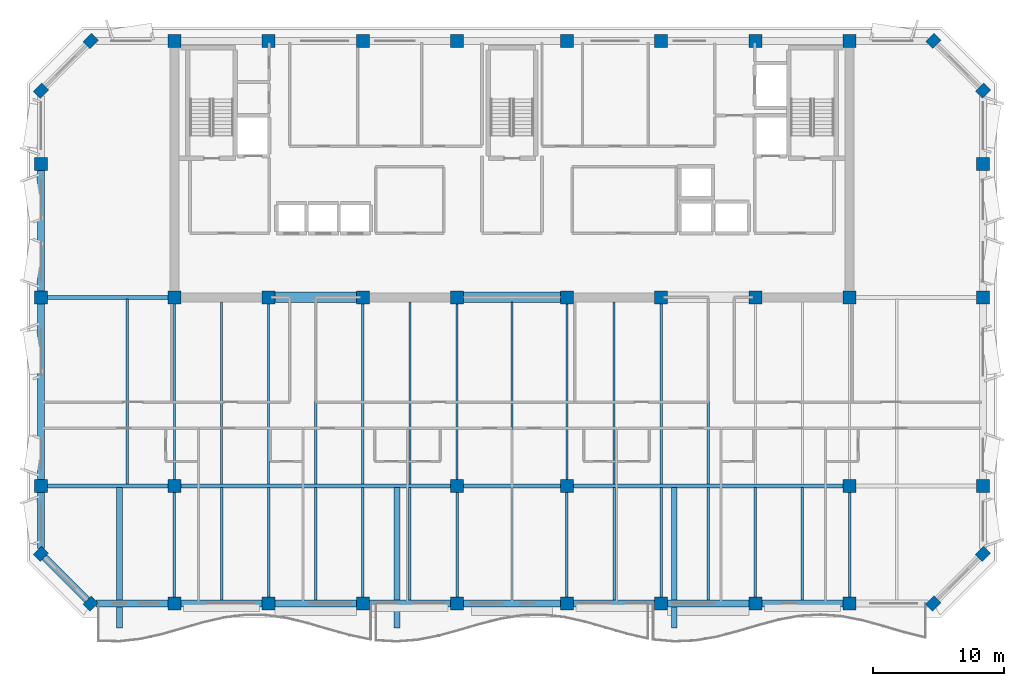
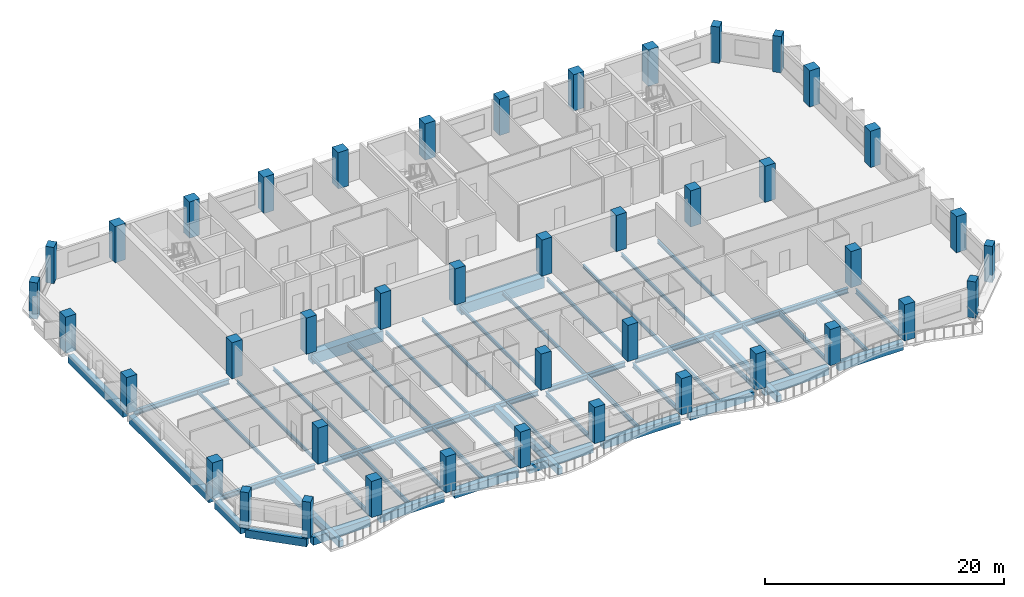
# One storey, part 1 of 11: 50 beams, 42 columns.
"""IFC4 building model written with IfcOpenShell, lengths in metres."""

from ifc_helpers import new_model, si_unit, direction, frame, origin, origin_2d, place, context, subcontext, project, spatial, rectangle, i_section, extrude, material, material_profile, profile_set, type_object, element, save


model = new_model("IFC4")

# Units and contexts
model_context = context("Model", 3, precision=1e-05, world=origin(), true_north=direction((0.0, 1.0)))
body_context = subcontext(model_context, "Body", "Model", "MODEL_VIEW")
ifc_project = project(units=[si_unit("LENGTHUNIT", "METRE"), si_unit("AREAUNIT", "SQUARE_METRE"), si_unit("VOLUMEUNIT", "CUBIC_METRE"), si_unit("PLANEANGLEUNIT", "RADIAN"), si_unit("MASSUNIT", "GRAM", prefix="KILO")], contexts=[model_context])

# Site, building, storey
site_placement = place(None, origin())
site = spatial("IfcSite", under=ifc_project, at=site_placement, CompositionType="ELEMENT")
building_placement = place(site_placement, origin())
building = spatial("IfcBuilding", under=site, at=building_placement, Name="Kaelvorn Grand Hotel", CompositionType="ELEMENT")
storey_placement = place(building_placement, frame((0.0, 0.0, 252.85009765625)))
storey = spatial("IfcBuildingStorey", under=building, at=storey_placement, Name="L62", CompositionType="ELEMENT", Elevation=252.85009765625)

# Columns
ifc_material_1 = material(Name="Concrete C60/75", Category="concrete")
ifc_material_profile_1 = material_profile(ifc_material_1, rectangle(XDim=0.89990234375, YDim=0.75, at=origin_2d()), Name="RC PILASTER 900x750")
ifc_profile_set_1 = profile_set([ifc_material_profile_1], Name="Concrete C60/75")
column_type_1 = type_object("IfcColumnType", Name="COL-PIL-900x750-C60", PredefinedType="PILASTER", material=ifc_profile_set_1)
for number, where, z_axis, x_axis, name in (
    (1, (9.800048828125, 6.0, 0.0), (0.0, 0.0, 1.0), (0.707106781187, 0.707106781187, 0.0), "L62 Structural Column CH-01"),
    (2, (74.199951171875, 6.0, 0.0), (0.0, 0.0, 1.0), (0.707106781187, 0.707106781187, 0.0), "L62 Structural Column CH-02"),
    (3, (78.0, 9.800048828125, 0.0), (0.0, 0.0, 1.0), (0.707106781187, 0.707106781187, 0.0), "L62 Structural Column CH-03"),
    (4, (78.0, 45.199951171875, 0.0), (0.0, 0.0, 1.0), (0.707106781187, 0.707106781187, 0.0), "L62 Structural Column CH-04"),
    (5, (74.199951171875, 49.0, 0.0), (0.0, 0.0, 1.0), (0.707106781187, 0.707106781187, 0.0), "L62 Structural Column CH-05"),
    (6, (9.800048828125, 49.0, 0.0), (0.0, 0.0, 1.0), (0.707106781187, 0.707106781187, 0.0), "L62 Structural Column CH-06"),
    (7, (6.0, 45.199951171875, 0.0), (0.0, 0.0, 1.0), (0.707106781187, 0.707106781187, 0.0), "L62 Structural Column CH-07"),
    (8, (6.0, 9.800048828125, 0.0), (0.0, 0.0, 1.0), (0.707106781187, 0.707106781187, 0.0), "L62 Structural Column CH-08"),
):
    element("IfcColumn", number, at=place(storey_placement, frame(where, z_axis=z_axis, x_axis=x_axis)), inside=storey, type_object=column_type_1, Name=name, PredefinedType="PILASTER", context=body_context, shape_type="SweptSolid", body=[
        extrude(rectangle(XDim=0.89990234375, YDim=0.75, at=origin_2d()), origin(), (0.0, 0.0, 1.0), 3.7099609375),
    ])
ifc_material_2 = material(Name="Concrete C50/60", Category="concrete")
ifc_material_profile_2 = material_profile(ifc_material_2, rectangle(XDim=1.0, YDim=1.0, at=origin_2d()), Name="RC COL 1000x1000")
ifc_profile_set_2 = profile_set([ifc_material_profile_2], Name="Concrete C50/60")
column_type_2 = type_object("IfcColumnType", Name="COL-RC-1000-C50", PredefinedType="COLUMN", material=ifc_profile_set_2)
for number, where, z_axis, x_axis, name in (
    (9, (16.199951171875, 6.0, 0.0), (0.0, 0.0, 1.0), (1.0, 0.0, 0.0), "L62 Structural Column S-01"),
    (10, (23.39990234375, 6.0, 0.0), (0.0, 0.0, 1.0), (1.0, 0.0, 0.0), "L62 Structural Column S-02"),
    (11, (30.60009765625, 6.0, 0.0), (0.0, 0.0, 1.0), (1.0, 0.0, 0.0), "L62 Structural Column S-03"),
    (12, (37.800048828125, 6.0, 0.0), (0.0, 0.0, 1.0), (1.0, 0.0, 0.0), "L62 Structural Column S-04"),
    (13, (46.199951171875, 6.0, 0.0), (0.0, 0.0, 1.0), (1.0, 0.0, 0.0), "L62 Structural Column S-05"),
    (14, (53.39990234375, 6.0, 0.0), (0.0, 0.0, 1.0), (1.0, 0.0, 0.0), "L62 Structural Column S-06"),
    (15, (60.60009765625, 6.0, 0.0), (0.0, 0.0, 1.0), (1.0, 0.0, 0.0), "L62 Structural Column S-07"),
    (16, (67.800048828125, 6.0, 0.0), (0.0, 0.0, 1.0), (1.0, 0.0, 0.0), "L62 Structural Column S-08"),
    (17, (6.0, 15.0, 0.0), (0.0, 0.0, 1.0), (1.0, 0.0, 0.0), "L62 Structural Column W-01"),
    (18, (78.0, 15.0, 0.0), (0.0, 0.0, 1.0), (1.0, 0.0, 0.0), "L62 Structural Column E-01"),
    (19, (6.0, 29.39990234375, 0.0), (0.0, 0.0, 1.0), (1.0, 0.0, 0.0), "L62 Structural Column W-02"),
    (20, (78.0, 29.39990234375, 0.0), (0.0, 0.0, 1.0), (1.0, 0.0, 0.0), "L62 Structural Column E-02"),
    (21, (6.0, 39.60009765625, 0.0), (0.0, 0.0, 1.0), (1.0, 0.0, 0.0), "L62 Structural Column W-03"),
    (22, (78.0, 39.60009765625, 0.0), (0.0, 0.0, 1.0), (1.0, 0.0, 0.0), "L62 Structural Column E-03"),
    (23, (16.199951171875, 15.0, 0.0), (0.0, 0.0, 1.0), (1.0, 0.0, 0.0), "L62 Structural Column M-01"),
    (24, (37.800048828125, 15.0, 0.0), (0.0, 0.0, 1.0), (1.0, 0.0, 0.0), "L62 Structural Column M-02"),
    (25, (46.199951171875, 15.0, 0.0), (0.0, 0.0, 1.0), (1.0, 0.0, 0.0), "L62 Structural Column M-03"),
    (26, (67.800048828125, 15.0, 0.0), (0.0, 0.0, 1.0), (1.0, 0.0, 0.0), "L62 Structural Column M-04"),
    (27, (16.199951171875, 29.39990234375, 0.0), (0.0, 0.0, 1.0), (1.0, 0.0, 0.0), "L62 Structural Column CR1-01"),
    (28, (16.199951171875, 49.0, 0.0), (0.0, 0.0, 1.0), (1.0, 0.0, 0.0), "L62 Structural Column CR2-01"),
    (29, (23.39990234375, 29.39990234375, 0.0), (0.0, 0.0, 1.0), (1.0, 0.0, 0.0), "L62 Structural Column CR1-02"),
    (30, (23.39990234375, 49.0, 0.0), (0.0, 0.0, 1.0), (1.0, 0.0, 0.0), "L62 Structural Column CR2-02"),
    (31, (30.60009765625, 29.39990234375, 0.0), (0.0, 0.0, 1.0), (1.0, 0.0, 0.0), "L62 Structural Column CR1-03"),
    (32, (30.60009765625, 49.0, 0.0), (0.0, 0.0, 1.0), (1.0, 0.0, 0.0), "L62 Structural Column CR2-03"),
    (33, (37.800048828125, 29.39990234375, 0.0), (0.0, 0.0, 1.0), (1.0, 0.0, 0.0), "L62 Structural Column CR1-04"),
    (34, (37.800048828125, 49.0, 0.0), (0.0, 0.0, 1.0), (1.0, 0.0, 0.0), "L62 Structural Column CR2-04"),
    (35, (46.199951171875, 29.39990234375, 0.0), (0.0, 0.0, 1.0), (1.0, 0.0, 0.0), "L62 Structural Column CR1-05"),
    (36, (46.199951171875, 49.0, 0.0), (0.0, 0.0, 1.0), (1.0, 0.0, 0.0), "L62 Structural Column CR2-05"),
    (37, (53.39990234375, 29.39990234375, 0.0), (0.0, 0.0, 1.0), (1.0, 0.0, 0.0), "L62 Structural Column CR1-06"),
    (38, (53.39990234375, 49.0, 0.0), (0.0, 0.0, 1.0), (1.0, 0.0, 0.0), "L62 Structural Column CR2-06"),
    (39, (60.60009765625, 29.39990234375, 0.0), (0.0, 0.0, 1.0), (1.0, 0.0, 0.0), "L62 Structural Column CR1-07"),
    (40, (60.60009765625, 49.0, 0.0), (0.0, 0.0, 1.0), (1.0, 0.0, 0.0), "L62 Structural Column CR2-07"),
    (41, (67.800048828125, 29.39990234375, 0.0), (0.0, 0.0, 1.0), (1.0, 0.0, 0.0), "L62 Structural Column CR1-08"),
    (42, (67.800048828125, 49.0, 0.0), (0.0, 0.0, 1.0), (1.0, 0.0, 0.0), "L62 Structural Column CR2-08"),
):
    element("IfcColumn", number, at=place(storey_placement, frame(where, z_axis=z_axis, x_axis=x_axis)), inside=storey, type_object=column_type_2, Name=name, PredefinedType="COLUMN", context=body_context, shape_type="SweptSolid", body=[
        extrude(rectangle(XDim=1.0, YDim=1.0, at=origin_2d()), origin(), (0.0, 0.0, 1.0), 3.7099609375),
    ])

# Beams
ifc_material_3 = material(Name="Steel S355", Category="steel")
ifc_material_profile_3 = material_profile(ifc_material_3, i_section(OverallWidth=0.300048828125, OverallDepth=0.5, WebThickness=0.014404296875, FlangeThickness=0.028076171875, FilletRadius=0.027099609375, at=origin_2d()), Name="HEB 500")
ifc_profile_set_3 = profile_set([ifc_material_profile_3], Name="Steel S355")
beam_type_1 = type_object("IfcBeamType", Name="BM-G-HEB500-S355", PredefinedType="BEAM", material=ifc_profile_set_3)
beam_1_placement = place(storey_placement, frame((6.485107421875, 15.0, -0.489990234375), z_axis=(1.0, 0.0, 0.0), x_axis=(0.0, 1.0, 0.0)))
element("IfcBeam", 43, at=beam_1_placement, inside=storey, type_object=beam_type_1, Name="L62 Primary Spine Steel Girder G-15 01", PredefinedType="BEAM", context=body_context, shape_type="SweptSolid", body=[
    extrude(i_section(OverallWidth=0.300048828125, OverallDepth=0.5, WebThickness=0.014404296875, FlangeThickness=0.028076171875, FilletRadius=0.027099609375, at=origin_2d()), origin(), (0.0, 0.0, 1.0), 9.22998046875),
])
beam_2_placement = place(storey_placement, frame((16.68505859375, 15.0, -0.489990234375), z_axis=(1.0, 0.0, 0.0), x_axis=(0.0, 1.0, 0.0)))
element("IfcBeam", 44, at=beam_2_placement, inside=storey, type_object=beam_type_1, Name="L62 Primary Spine Steel Girder G-15 02", PredefinedType="BEAM", context=body_context, shape_type="SweptSolid", body=[
    extrude(i_section(OverallWidth=0.300048828125, OverallDepth=0.5, WebThickness=0.014404296875, FlangeThickness=0.028076171875, FilletRadius=0.027099609375, at=origin_2d()), origin(), (0.0, 0.0, 1.0), 20.6298828125),
])
beam_3_placement = place(storey_placement, frame((38.284912109375, 15.0, -0.489990234375), z_axis=(1.0, 0.0, 0.0), x_axis=(0.0, 1.0, 0.0)))
element("IfcBeam", 45, at=beam_3_placement, inside=storey, type_object=beam_type_1, Name="L62 Primary Spine Steel Girder G-15 03", PredefinedType="BEAM", context=body_context, shape_type="SweptSolid", body=[
    extrude(i_section(OverallWidth=0.300048828125, OverallDepth=0.5, WebThickness=0.014404296875, FlangeThickness=0.028076171875, FilletRadius=0.027099609375, at=origin_2d()), origin(), (0.0, 0.0, 1.0), 7.43017578125),
])
beam_4_placement = place(storey_placement, frame((46.68505859375, 15.0, -0.489990234375), z_axis=(1.0, 0.0, 0.0), x_axis=(0.0, 1.0, 0.0)))
element("IfcBeam", 46, at=beam_4_placement, inside=storey, type_object=beam_type_1, Name="L62 Primary Spine Steel Girder G-15 04", PredefinedType="BEAM", context=body_context, shape_type="SweptSolid", body=[
    extrude(i_section(OverallWidth=0.300048828125, OverallDepth=0.5, WebThickness=0.014404296875, FlangeThickness=0.028076171875, FilletRadius=0.027099609375, at=origin_2d()), origin(), (0.0, 0.0, 1.0), 20.6298828125),
])
beam_5_placement = place(storey_placement, frame((6.485107421875, 29.39990234375, -0.489990234375), z_axis=(1.0, 0.0, 0.0), x_axis=(0.0, 1.0, 0.0)))
element("IfcBeam", 47, at=beam_5_placement, inside=storey, type_object=beam_type_1, Name="L62 West Core Wing Steel Girder G-29W 01", PredefinedType="BEAM", context=body_context, shape_type="SweptSolid", body=[
    extrude(i_section(OverallWidth=0.300048828125, OverallDepth=0.5, WebThickness=0.014404296875, FlangeThickness=0.028076171875, FilletRadius=0.027099609375, at=origin_2d()), origin(), (0.0, 0.0, 1.0), 9.22998046875),
])
ifc_material_profile_4 = material_profile(ifc_material_3, i_section(OverallWidth=0.169921875, OverallDepth=0.360107421875, WebThickness=0.008056640625, FlangeThickness=0.0126953125, FilletRadius=0.01806640625, at=origin_2d()), Name="IPE 360")
ifc_profile_set_4 = profile_set([ifc_material_profile_4], Name="Steel S355")
beam_type_2 = type_object("IfcBeamType", Name="BM-J-IPE360-S355", PredefinedType="JOIST", material=ifc_profile_set_4)
beam_6_placement = place(storey_placement, frame((12.60009765625, 15.135009765625, -0.420166015625), z_axis=(0.0, 1.0, 0.0), x_axis=(-1.0, 0.0, 0.0)))
element("IfcBeam", 48, at=beam_6_placement, inside=storey, type_object=beam_type_2, Name="L62 Composite Floor Joist JM-04", PredefinedType="JOIST", context=body_context, shape_type="SweptSolid", body=[
    extrude(i_section(OverallWidth=0.169921875, OverallDepth=0.360107421875, WebThickness=0.008056640625, FlangeThickness=0.0126953125, FilletRadius=0.01806640625, at=origin_2d()), origin(), (0.0, 0.0, 1.0), 14.1298828125),
])
beam_7_placement = place(storey_placement, frame((16.199951171875, 15.485107421875, -0.420166015625), z_axis=(0.0, 1.0, 0.0), x_axis=(-1.0, 0.0, 0.0)))
element("IfcBeam", 49, at=beam_7_placement, inside=storey, type_object=beam_type_2, Name="L62 Composite Floor Joist JM-05", PredefinedType="JOIST", context=body_context, shape_type="SweptSolid", body=[
    extrude(i_section(OverallWidth=0.169921875, OverallDepth=0.360107421875, WebThickness=0.008056640625, FlangeThickness=0.0126953125, FilletRadius=0.01806640625, at=origin_2d()), origin(), (0.0, 0.0, 1.0), 13.429931640625),
])
beam_8_placement = place(storey_placement, frame((19.800048828125, 15.135009765625, -0.420166015625), z_axis=(0.0, 1.0, 0.0), x_axis=(-1.0, 0.0, 0.0)))
element("IfcBeam", 50, at=beam_8_placement, inside=storey, type_object=beam_type_2, Name="L62 Composite Floor Joist JM-06", PredefinedType="JOIST", context=body_context, shape_type="SweptSolid", body=[
    extrude(i_section(OverallWidth=0.169921875, OverallDepth=0.360107421875, WebThickness=0.008056640625, FlangeThickness=0.0126953125, FilletRadius=0.01806640625, at=origin_2d()), origin(), (0.0, 0.0, 1.0), 13.925048828125),
])
beam_9_placement = place(storey_placement, frame((23.39990234375, 15.135009765625, -0.420166015625), z_axis=(0.0, 1.0, 0.0), x_axis=(-1.0, 0.0, 0.0)))
element("IfcBeam", 51, at=beam_9_placement, inside=storey, type_object=beam_type_2, Name="L62 Composite Floor Joist JM-07", PredefinedType="JOIST", context=body_context, shape_type="SweptSolid", body=[
    extrude(i_section(OverallWidth=0.169921875, OverallDepth=0.360107421875, WebThickness=0.008056640625, FlangeThickness=0.0126953125, FilletRadius=0.01806640625, at=origin_2d()), origin(), (0.0, 0.0, 1.0), 13.780029296875),
])
beam_10_placement = place(storey_placement, frame((27.0, 15.135009765625, -0.420166015625), z_axis=(0.0, 1.0, 0.0), x_axis=(-1.0, 0.0, 0.0)))
element("IfcBeam", 52, at=beam_10_placement, inside=storey, type_object=beam_type_2, Name="L62 Composite Floor Joist JM-08", PredefinedType="JOIST", context=body_context, shape_type="SweptSolid", body=[
    extrude(i_section(OverallWidth=0.169921875, OverallDepth=0.360107421875, WebThickness=0.008056640625, FlangeThickness=0.0126953125, FilletRadius=0.01806640625, at=origin_2d()), origin(), (0.0, 0.0, 1.0), 13.925048828125),
])
beam_11_placement = place(storey_placement, frame((30.60009765625, 15.135009765625, -0.420166015625), z_axis=(0.0, 1.0, 0.0), x_axis=(-1.0, 0.0, 0.0)))
element("IfcBeam", 53, at=beam_11_placement, inside=storey, type_object=beam_type_2, Name="L62 Composite Floor Joist JM-09", PredefinedType="JOIST", context=body_context, shape_type="SweptSolid", body=[
    extrude(i_section(OverallWidth=0.169921875, OverallDepth=0.360107421875, WebThickness=0.008056640625, FlangeThickness=0.0126953125, FilletRadius=0.01806640625, at=origin_2d()), origin(), (0.0, 0.0, 1.0), 13.780029296875),
])
beam_12_placement = place(storey_placement, frame((34.199951171875, 15.135009765625, -0.420166015625), z_axis=(0.0, 1.0, 0.0), x_axis=(-1.0, 0.0, 0.0)))
element("IfcBeam", 54, at=beam_12_placement, inside=storey, type_object=beam_type_2, Name="L62 Composite Floor Joist JM-10", PredefinedType="JOIST", context=body_context, shape_type="SweptSolid", body=[
    extrude(i_section(OverallWidth=0.169921875, OverallDepth=0.360107421875, WebThickness=0.008056640625, FlangeThickness=0.0126953125, FilletRadius=0.01806640625, at=origin_2d()), origin(), (0.0, 0.0, 1.0), 13.925048828125),
])
beam_13_placement = place(storey_placement, frame((37.800048828125, 15.485107421875, -0.420166015625), z_axis=(0.0, 1.0, 0.0), x_axis=(-1.0, 0.0, 0.0)))
element("IfcBeam", 55, at=beam_13_placement, inside=storey, type_object=beam_type_2, Name="L62 Composite Floor Joist JM-11", PredefinedType="JOIST", context=body_context, shape_type="SweptSolid", body=[
    extrude(i_section(OverallWidth=0.169921875, OverallDepth=0.360107421875, WebThickness=0.008056640625, FlangeThickness=0.0126953125, FilletRadius=0.01806640625, at=origin_2d()), origin(), (0.0, 0.0, 1.0), 13.429931640625),
])
beam_14_placement = place(storey_placement, frame((42.0, 15.135009765625, -0.420166015625), z_axis=(0.0, 1.0, 0.0), x_axis=(-1.0, 0.0, 0.0)))
element("IfcBeam", 56, at=beam_14_placement, inside=storey, type_object=beam_type_2, Name="L62 Composite Floor Joist JM-12", PredefinedType="JOIST", context=body_context, shape_type="SweptSolid", body=[
    extrude(i_section(OverallWidth=0.169921875, OverallDepth=0.360107421875, WebThickness=0.008056640625, FlangeThickness=0.0126953125, FilletRadius=0.01806640625, at=origin_2d()), origin(), (0.0, 0.0, 1.0), 13.925048828125),
])
beam_15_placement = place(storey_placement, frame((46.199951171875, 15.485107421875, -0.420166015625), z_axis=(0.0, 1.0, 0.0), x_axis=(-1.0, 0.0, 0.0)))
element("IfcBeam", 57, at=beam_15_placement, inside=storey, type_object=beam_type_2, Name="L62 Composite Floor Joist JM-13", PredefinedType="JOIST", context=body_context, shape_type="SweptSolid", body=[
    extrude(i_section(OverallWidth=0.169921875, OverallDepth=0.360107421875, WebThickness=0.008056640625, FlangeThickness=0.0126953125, FilletRadius=0.01806640625, at=origin_2d()), origin(), (0.0, 0.0, 1.0), 13.429931640625),
])
beam_16_placement = place(storey_placement, frame((49.800048828125, 15.135009765625, -0.420166015625), z_axis=(0.0, 1.0, 0.0), x_axis=(-1.0, 0.0, 0.0)))
element("IfcBeam", 58, at=beam_16_placement, inside=storey, type_object=beam_type_2, Name="L62 Composite Floor Joist JM-14", PredefinedType="JOIST", context=body_context, shape_type="SweptSolid", body=[
    extrude(i_section(OverallWidth=0.169921875, OverallDepth=0.360107421875, WebThickness=0.008056640625, FlangeThickness=0.0126953125, FilletRadius=0.01806640625, at=origin_2d()), origin(), (0.0, 0.0, 1.0), 13.925048828125),
])
beam_17_placement = place(storey_placement, frame((53.39990234375, 15.135009765625, -0.420166015625), z_axis=(0.0, 1.0, 0.0), x_axis=(-1.0, 0.0, 0.0)))
element("IfcBeam", 59, at=beam_17_placement, inside=storey, type_object=beam_type_2, Name="L62 Composite Floor Joist JM-15", PredefinedType="JOIST", context=body_context, shape_type="SweptSolid", body=[
    extrude(i_section(OverallWidth=0.169921875, OverallDepth=0.360107421875, WebThickness=0.008056640625, FlangeThickness=0.0126953125, FilletRadius=0.01806640625, at=origin_2d()), origin(), (0.0, 0.0, 1.0), 13.780029296875),
])
beam_18_placement = place(storey_placement, frame((57.0, 15.135009765625, -0.420166015625), z_axis=(0.0, 1.0, 0.0), x_axis=(-1.0, 0.0, 0.0)))
element("IfcBeam", 60, at=beam_18_placement, inside=storey, type_object=beam_type_2, Name="L62 Composite Floor Joist JM-16", PredefinedType="JOIST", context=body_context, shape_type="SweptSolid", body=[
    extrude(i_section(OverallWidth=0.169921875, OverallDepth=0.360107421875, WebThickness=0.008056640625, FlangeThickness=0.0126953125, FilletRadius=0.01806640625, at=origin_2d()), origin(), (0.0, 0.0, 1.0), 13.925048828125),
])
ifc_material_profile_5 = material_profile(ifc_material_3, i_section(OverallWidth=0.18994140625, OverallDepth=0.449951171875, WebThickness=0.009521484375, FlangeThickness=0.0146484375, FilletRadius=0.02099609375, at=origin_2d()), Name="IPE 450")
ifc_profile_set_5 = profile_set([ifc_material_profile_5], Name="Steel S355")
beam_type_3 = type_object("IfcBeamType", Name="BM-J-IPE450-S355", PredefinedType="JOIST", material=ifc_profile_set_5)
beam_19_placement = place(storey_placement, frame((16.199951171875, 6.485107421875, -0.465087890625), z_axis=(0.0, 1.0, 0.0), x_axis=(-1.0, 0.0, 0.0)))
element("IfcBeam", 61, at=beam_19_placement, inside=storey, type_object=beam_type_3, Name="L62 Composite Floor Joist JS-05", PredefinedType="JOIST", context=body_context, shape_type="SweptSolid", body=[
    extrude(i_section(OverallWidth=0.18994140625, OverallDepth=0.449951171875, WebThickness=0.009521484375, FlangeThickness=0.0146484375, FilletRadius=0.02099609375, at=origin_2d()), origin(), (0.0, 0.0, 1.0), 8.02978515625),
])
beam_20_placement = place(storey_placement, frame((19.800048828125, 6.260009765625, -0.465087890625), z_axis=(0.0, 1.0, 0.0), x_axis=(-1.0, 0.0, 0.0)))
element("IfcBeam", 62, at=beam_20_placement, inside=storey, type_object=beam_type_3, Name="L62 Composite Floor Joist JS-06", PredefinedType="JOIST", context=body_context, shape_type="SweptSolid", body=[
    extrude(i_section(OverallWidth=0.18994140625, OverallDepth=0.449951171875, WebThickness=0.009521484375, FlangeThickness=0.0146484375, FilletRadius=0.02099609375, at=origin_2d()), origin(), (0.0, 0.0, 1.0), 8.60498046875),
])
beam_21_placement = place(storey_placement, frame((23.39990234375, 6.485107421875, -0.465087890625), z_axis=(0.0, 1.0, 0.0), x_axis=(-1.0, 0.0, 0.0)))
element("IfcBeam", 63, at=beam_21_placement, inside=storey, type_object=beam_type_3, Name="L62 Composite Floor Joist JS-07", PredefinedType="JOIST", context=body_context, shape_type="SweptSolid", body=[
    extrude(i_section(OverallWidth=0.18994140625, OverallDepth=0.449951171875, WebThickness=0.009521484375, FlangeThickness=0.0146484375, FilletRadius=0.02099609375, at=origin_2d()), origin(), (0.0, 0.0, 1.0), 8.3798828125),
])
beam_22_placement = place(storey_placement, frame((27.0, 6.260009765625, -0.465087890625), z_axis=(0.0, 1.0, 0.0), x_axis=(-1.0, 0.0, 0.0)))
element("IfcBeam", 64, at=beam_22_placement, inside=storey, type_object=beam_type_3, Name="L62 Composite Floor Joist JS-08", PredefinedType="JOIST", context=body_context, shape_type="SweptSolid", body=[
    extrude(i_section(OverallWidth=0.18994140625, OverallDepth=0.449951171875, WebThickness=0.009521484375, FlangeThickness=0.0146484375, FilletRadius=0.02099609375, at=origin_2d()), origin(), (0.0, 0.0, 1.0), 8.60498046875),
])
beam_23_placement = place(storey_placement, frame((30.60009765625, 6.485107421875, -0.465087890625), z_axis=(0.0, 1.0, 0.0), x_axis=(-1.0, 0.0, 0.0)))
element("IfcBeam", 65, at=beam_23_placement, inside=storey, type_object=beam_type_3, Name="L62 Composite Floor Joist JS-09", PredefinedType="JOIST", context=body_context, shape_type="SweptSolid", body=[
    extrude(i_section(OverallWidth=0.18994140625, OverallDepth=0.449951171875, WebThickness=0.009521484375, FlangeThickness=0.0146484375, FilletRadius=0.02099609375, at=origin_2d()), origin(), (0.0, 0.0, 1.0), 8.3798828125),
])
beam_24_placement = place(storey_placement, frame((34.199951171875, 6.260009765625, -0.465087890625), z_axis=(0.0, 1.0, 0.0), x_axis=(-1.0, 0.0, 0.0)))
element("IfcBeam", 66, at=beam_24_placement, inside=storey, type_object=beam_type_3, Name="L62 Composite Floor Joist JS-10", PredefinedType="JOIST", context=body_context, shape_type="SweptSolid", body=[
    extrude(i_section(OverallWidth=0.18994140625, OverallDepth=0.449951171875, WebThickness=0.009521484375, FlangeThickness=0.0146484375, FilletRadius=0.02099609375, at=origin_2d()), origin(), (0.0, 0.0, 1.0), 8.60498046875),
])
beam_25_placement = place(storey_placement, frame((37.800048828125, 6.485107421875, -0.465087890625), z_axis=(0.0, 1.0, 0.0), x_axis=(-1.0, 0.0, 0.0)))
element("IfcBeam", 67, at=beam_25_placement, inside=storey, type_object=beam_type_3, Name="L62 Composite Floor Joist JS-11", PredefinedType="JOIST", context=body_context, shape_type="SweptSolid", body=[
    extrude(i_section(OverallWidth=0.18994140625, OverallDepth=0.449951171875, WebThickness=0.009521484375, FlangeThickness=0.0146484375, FilletRadius=0.02099609375, at=origin_2d()), origin(), (0.0, 0.0, 1.0), 8.02978515625),
])
beam_26_placement = place(storey_placement, frame((42.0, 6.260009765625, -0.465087890625), z_axis=(0.0, 1.0, 0.0), x_axis=(-1.0, 0.0, 0.0)))
element("IfcBeam", 68, at=beam_26_placement, inside=storey, type_object=beam_type_3, Name="L62 Composite Floor Joist JS-12", PredefinedType="JOIST", context=body_context, shape_type="SweptSolid", body=[
    extrude(i_section(OverallWidth=0.18994140625, OverallDepth=0.449951171875, WebThickness=0.009521484375, FlangeThickness=0.0146484375, FilletRadius=0.02099609375, at=origin_2d()), origin(), (0.0, 0.0, 1.0), 8.60498046875),
])
beam_27_placement = place(storey_placement, frame((46.199951171875, 6.485107421875, -0.465087890625), z_axis=(0.0, 1.0, 0.0), x_axis=(-1.0, 0.0, 0.0)))
element("IfcBeam", 69, at=beam_27_placement, inside=storey, type_object=beam_type_3, Name="L62 Composite Floor Joist JS-13", PredefinedType="JOIST", context=body_context, shape_type="SweptSolid", body=[
    extrude(i_section(OverallWidth=0.18994140625, OverallDepth=0.449951171875, WebThickness=0.009521484375, FlangeThickness=0.0146484375, FilletRadius=0.02099609375, at=origin_2d()), origin(), (0.0, 0.0, 1.0), 8.02978515625),
])
beam_28_placement = place(storey_placement, frame((49.800048828125, 6.260009765625, -0.465087890625), z_axis=(0.0, 1.0, 0.0), x_axis=(-1.0, 0.0, 0.0)))
element("IfcBeam", 70, at=beam_28_placement, inside=storey, type_object=beam_type_3, Name="L62 Composite Floor Joist JS-14", PredefinedType="JOIST", context=body_context, shape_type="SweptSolid", body=[
    extrude(i_section(OverallWidth=0.18994140625, OverallDepth=0.449951171875, WebThickness=0.009521484375, FlangeThickness=0.0146484375, FilletRadius=0.02099609375, at=origin_2d()), origin(), (0.0, 0.0, 1.0), 8.60498046875),
])
beam_29_placement = place(storey_placement, frame((53.39990234375, 6.485107421875, -0.465087890625), z_axis=(0.0, 1.0, 0.0), x_axis=(-1.0, 0.0, 0.0)))
element("IfcBeam", 71, at=beam_29_placement, inside=storey, type_object=beam_type_3, Name="L62 Composite Floor Joist JS-15", PredefinedType="JOIST", context=body_context, shape_type="SweptSolid", body=[
    extrude(i_section(OverallWidth=0.18994140625, OverallDepth=0.449951171875, WebThickness=0.009521484375, FlangeThickness=0.0146484375, FilletRadius=0.02099609375, at=origin_2d()), origin(), (0.0, 0.0, 1.0), 8.3798828125),
])
beam_30_placement = place(storey_placement, frame((57.0, 6.260009765625, -0.465087890625), z_axis=(0.0, 1.0, 0.0), x_axis=(-1.0, 0.0, 0.0)))
element("IfcBeam", 72, at=beam_30_placement, inside=storey, type_object=beam_type_3, Name="L62 Composite Floor Joist JS-16", PredefinedType="JOIST", context=body_context, shape_type="SweptSolid", body=[
    extrude(i_section(OverallWidth=0.18994140625, OverallDepth=0.449951171875, WebThickness=0.009521484375, FlangeThickness=0.0146484375, FilletRadius=0.02099609375, at=origin_2d()), origin(), (0.0, 0.0, 1.0), 8.60498046875),
])
beam_31_placement = place(storey_placement, frame((60.60009765625, 6.485107421875, -0.465087890625), z_axis=(0.0, 1.0, 0.0), x_axis=(-1.0, 0.0, 0.0)))
element("IfcBeam", 73, at=beam_31_placement, inside=storey, type_object=beam_type_3, Name="L62 Composite Floor Joist JS-17", PredefinedType="JOIST", context=body_context, shape_type="SweptSolid", body=[
    extrude(i_section(OverallWidth=0.18994140625, OverallDepth=0.449951171875, WebThickness=0.009521484375, FlangeThickness=0.0146484375, FilletRadius=0.02099609375, at=origin_2d()), origin(), (0.0, 0.0, 1.0), 8.3798828125),
])
beam_32_placement = place(storey_placement, frame((64.199951171875, 6.260009765625, -0.465087890625), z_axis=(0.0, 1.0, 0.0), x_axis=(-1.0, 0.0, 0.0)))
element("IfcBeam", 74, at=beam_32_placement, inside=storey, type_object=beam_type_3, Name="L62 Composite Floor Joist JS-18", PredefinedType="JOIST", context=body_context, shape_type="SweptSolid", body=[
    extrude(i_section(OverallWidth=0.18994140625, OverallDepth=0.449951171875, WebThickness=0.009521484375, FlangeThickness=0.0146484375, FilletRadius=0.02099609375, at=origin_2d()), origin(), (0.0, 0.0, 1.0), 8.60498046875),
])
beam_33_placement = place(storey_placement, frame((67.800048828125, 6.485107421875, -0.465087890625), z_axis=(0.0, 1.0, 0.0), x_axis=(-1.0, 0.0, 0.0)))
element("IfcBeam", 75, at=beam_33_placement, inside=storey, type_object=beam_type_3, Name="L62 Composite Floor Joist JS-19", PredefinedType="JOIST", context=body_context, shape_type="SweptSolid", body=[
    extrude(i_section(OverallWidth=0.18994140625, OverallDepth=0.449951171875, WebThickness=0.009521484375, FlangeThickness=0.0146484375, FilletRadius=0.02099609375, at=origin_2d()), origin(), (0.0, 0.0, 1.0), 8.02978515625),
])
ifc_material_profile_6 = material_profile(ifc_material_1, rectangle(XDim=0.800048828125, YDim=1.10009765625, at=origin_2d()), Name="RC LINTEL 800x1100")
ifc_profile_set_6 = profile_set([ifc_material_profile_6], Name="Concrete C60/75")
beam_type_4 = type_object("IfcBeamType", Name="BM-LIN-800x1100-C60", PredefinedType="LINTEL", material=ifc_profile_set_6)
beam_34_placement = place(storey_placement, frame((23.580078125, 29.39990234375, -0.7900390625), z_axis=(1.0, 0.0, 0.0), x_axis=(0.0, 1.0, 0.0)))
element("IfcBeam", 76, at=beam_34_placement, inside=storey, type_object=beam_type_4, Name="L62 Rear-Core Coupling Lintel Beam CB1-01", PredefinedType="LINTEL", context=body_context, shape_type="SweptSolid", body=[
    extrude(rectangle(XDim=0.800048828125, YDim=1.10009765625, at=origin_2d()), origin(), (0.0, 0.0, 1.0), 6.83984375),
])
beam_35_placement = place(storey_placement, frame((37.97998046875, 29.39990234375, -0.7900390625), z_axis=(1.0, 0.0, 0.0), x_axis=(0.0, 1.0, 0.0)))
element("IfcBeam", 77, at=beam_35_placement, inside=storey, type_object=beam_type_4, Name="L62 Rear-Core Coupling Lintel Beam CB1-02", PredefinedType="LINTEL", context=body_context, shape_type="SweptSolid", body=[
    extrude(rectangle(XDim=0.800048828125, YDim=1.10009765625, at=origin_2d()), origin(), (0.0, 0.0, 1.0), 8.0400390625),
])
ifc_material_4 = material(Name="Concrete C40/50", Category="concrete")
ifc_material_profile_7 = material_profile(ifc_material_4, rectangle(XDim=0.449951171875, YDim=0.64990234375, at=origin_2d()), Name="RC RIB 450x650")
ifc_profile_set_7 = profile_set([ifc_material_profile_7], Name="Concrete C40/50")
beam_type_5 = type_object("IfcBeamType", Name="BM-RIB-450x650-C40", PredefinedType="SPANDREL", material=ifc_profile_set_7)
for number, where, z_axis, x_axis, name in (
    (78, (12.0, 4.14990234375, -0.545166015625), (0.0, 1.0, 0.0), (-1.0, 0.0, 0.0), "L62 Cantilevered Balcony Back-Span Rib RB1-1"),
    (79, (33.199951171875, 4.14990234375, -0.545166015625), (0.0, 1.0, 0.0), (-1.0, 0.0, 0.0), "L62 Cantilevered Balcony Back-Span Rib RB1-2"),
    (80, (54.39990234375, 4.14990234375, -0.545166015625), (0.0, 1.0, 0.0), (-1.0, 0.0, 0.0), "L62 Cantilevered Balcony Back-Span Rib RB1-3"),
):
    element("IfcBeam", number, at=place(storey_placement, frame(where, z_axis=z_axis, x_axis=x_axis)), inside=storey, type_object=beam_type_5, Name=name, PredefinedType="SPANDREL", context=body_context, shape_type="SweptSolid", body=[
        extrude(rectangle(XDim=0.449951171875, YDim=0.64990234375, at=origin_2d()), origin(), (0.0, 0.0, 1.0), 10.715087890625),
    ])
ifc_material_profile_8 = material_profile(ifc_material_2, rectangle(XDim=0.550048828125, YDim=0.800048828125, at=origin_2d()), Name="RC SPANDREL 550x800")
ifc_profile_set_8 = profile_set([ifc_material_profile_8], Name="Concrete C50/60")
beam_type_6 = type_object("IfcBeamType", Name="BM-SP-550x800-C50", PredefinedType="SPANDREL", material=ifc_profile_set_8)
beam_36_placement = place(storey_placement, frame((10.205078125, 6.0, -0.64013671875), z_axis=(1.0, 0.0, 0.0), x_axis=(0.0, 1.0, 0.0)))
element("IfcBeam", 81, at=beam_36_placement, inside=storey, type_object=beam_type_6, Name="L62 South Perimeter Spandrel 01", PredefinedType="SPANDREL", context=body_context, shape_type="SweptSolid", body=[
    extrude(rectangle(XDim=0.550048828125, YDim=0.800048828125, at=origin_2d()), origin(), (0.0, 0.0, 1.0), 5.510009765625),
])
for number, where, z_axis, x_axis, name in (
    (82, (16.68505859375, 6.0, -0.64013671875), (1.0, 0.0, 0.0), (0.0, 1.0, 0.0), "L62 South Perimeter Spandrel 02"),
    (83, (23.885009765625, 6.0, -0.64013671875), (1.0, 0.0, 0.0), (0.0, 1.0, 0.0), "L62 South Perimeter Spandrel 03"),
    (84, (31.0849609375, 6.0, -0.64013671875), (1.0, 0.0, 0.0), (0.0, 1.0, 0.0), "L62 South Perimeter Spandrel 04"),
):
    element("IfcBeam", number, at=place(storey_placement, frame(where, z_axis=z_axis, x_axis=x_axis)), inside=storey, type_object=beam_type_6, Name=name, PredefinedType="SPANDREL", context=body_context, shape_type="SweptSolid", body=[
        extrude(rectangle(XDim=0.550048828125, YDim=0.800048828125, at=origin_2d()), origin(), (0.0, 0.0, 1.0), 6.22998046875),
    ])
beam_37_placement = place(storey_placement, frame((38.284912109375, 6.0, -0.64013671875), z_axis=(1.0, 0.0, 0.0), x_axis=(0.0, 1.0, 0.0)))
element("IfcBeam", 85, at=beam_37_placement, inside=storey, type_object=beam_type_6, Name="L62 South Perimeter Spandrel 05", PredefinedType="SPANDREL", context=body_context, shape_type="SweptSolid", body=[
    extrude(rectangle(XDim=0.550048828125, YDim=0.800048828125, at=origin_2d()), origin(), (0.0, 0.0, 1.0), 7.43017578125),
])
for number, where, z_axis, x_axis, name in (
    (86, (46.68505859375, 6.0, -0.64013671875), (1.0, 0.0, 0.0), (0.0, 1.0, 0.0), "L62 South Perimeter Spandrel 06"),
    (87, (53.885009765625, 6.0, -0.64013671875), (1.0, 0.0, 0.0), (0.0, 1.0, 0.0), "L62 South Perimeter Spandrel 07"),
    (88, (61.0849609375, 6.0, -0.64013671875), (1.0, 0.0, 0.0), (0.0, 1.0, 0.0), "L62 South Perimeter Spandrel 08"),
):
    element("IfcBeam", number, at=place(storey_placement, frame(where, z_axis=z_axis, x_axis=x_axis)), inside=storey, type_object=beam_type_6, Name=name, PredefinedType="SPANDREL", context=body_context, shape_type="SweptSolid", body=[
        extrude(rectangle(XDim=0.550048828125, YDim=0.800048828125, at=origin_2d()), origin(), (0.0, 0.0, 1.0), 6.22998046875),
    ])
beam_38_placement = place(storey_placement, frame((6.0, 10.205078125, -0.64013671875), z_axis=(0.0, 1.0, 0.0), x_axis=(-1.0, 0.0, 0.0)))
element("IfcBeam", 89, at=beam_38_placement, inside=storey, type_object=beam_type_6, Name="L62 West Perimeter Spandrel 01", PredefinedType="SPANDREL", context=body_context, shape_type="SweptSolid", body=[
    extrude(rectangle(XDim=0.550048828125, YDim=0.800048828125, at=origin_2d()), origin(), (0.0, 0.0, 1.0), 4.309814453125),
])
beam_39_placement = place(storey_placement, frame((6.0, 15.485107421875, -0.64013671875), z_axis=(0.0, 1.0, 0.0), x_axis=(-1.0, 0.0, 0.0)))
element("IfcBeam", 90, at=beam_39_placement, inside=storey, type_object=beam_type_6, Name="L62 West Perimeter Spandrel 02", PredefinedType="SPANDREL", context=body_context, shape_type="SweptSolid", body=[
    extrude(rectangle(XDim=0.550048828125, YDim=0.800048828125, at=origin_2d()), origin(), (0.0, 0.0, 1.0), 13.429931640625),
])
beam_40_placement = place(storey_placement, frame((6.0, 29.885009765625, -0.64013671875), z_axis=(0.0, 1.0, 0.0), x_axis=(-1.0, 0.0, 0.0)))
element("IfcBeam", 91, at=beam_40_placement, inside=storey, type_object=beam_type_6, Name="L62 West Perimeter Spandrel 03", PredefinedType="SPANDREL", context=body_context, shape_type="SweptSolid", body=[
    extrude(rectangle(XDim=0.550048828125, YDim=0.800048828125, at=origin_2d()), origin(), (0.0, 0.0, 1.0), 9.22998046875),
])
beam_41_placement = place(storey_placement, frame((6.0, 9.800048828125, -0.64013671875), z_axis=(0.707106781187, -0.707106781187, 0.0), x_axis=(0.707106781187, 0.707106781187, 0.0)))
element("IfcBeam", 92, at=beam_41_placement, inside=storey, type_object=beam_type_6, Name="L62 Chamfer Spandrel Beam 4", PredefinedType="SPANDREL", context=body_context, shape_type="SweptSolid", body=[
    extrude(rectangle(XDim=0.550048828125, YDim=0.800048828125, at=origin_2d()), origin(), (0.0, 0.0, 1.0), 5.3740234375),
])

save(model, "model.ifc")
